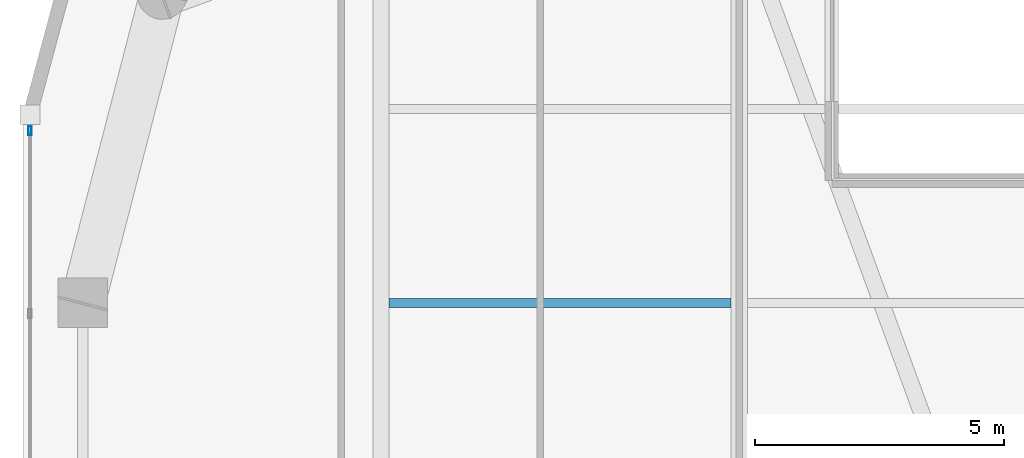
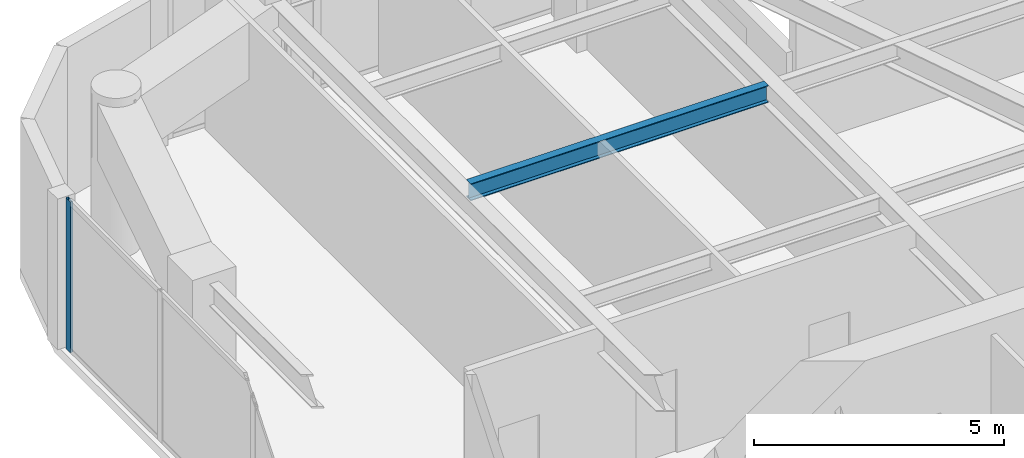
# One storey, part 8 of 22: 1 beam, 1 member, 1 element without a shape of its own.
"""IFC4 building model written with IfcOpenShell, lengths in metres."""

from ifc_helpers import new_model, si_unit, direction, frame, origin, origin_2d, place, context, subcontext, project, spatial, hollow_rectangle, i_section, extrude, material, layer, layer_set, material_profile, profile_set, type_object, element, aggregate, save


model = new_model("IFC4")

# Units and contexts
model_context = context("Model", 3, precision=1e-05, world=origin(), true_north=direction((0.0, 1.0)))
body_context = subcontext(model_context, "Body", "Model", "MODEL_VIEW")
ifc_project = project(units=[si_unit("LENGTHUNIT", "METRE"), si_unit("AREAUNIT", "SQUARE_METRE"), si_unit("VOLUMEUNIT", "CUBIC_METRE"), si_unit("PLANEANGLEUNIT", "RADIAN"), si_unit("MASSUNIT", "GRAM", prefix="KILO")], contexts=[model_context])

# Site, building, storey
site_placement = place(None, origin())
site = spatial("IfcSite", under=ifc_project, at=site_placement, CompositionType="ELEMENT")
building_placement = place(site_placement, origin())
building = spatial("IfcBuilding", under=site, at=building_placement, Name="Kiyonajd Concourse Tower", CompositionType="ELEMENT")
storey_placement = place(building_placement, frame((0.0, 0.0, 243.300048828125)))
storey = spatial("IfcBuildingStorey", under=building, at=storey_placement, Name="L61", CompositionType="ELEMENT", Elevation=243.300048828125)

# Beam
ifc_material_1 = material(Name="Steel ASTM A992 Grade 50", Category="steel")
ifc_material_profile_1 = material_profile(ifc_material_1, i_section(OverallWidth=0.180908203125, OverallDepth=0.4169921875, WebThickness=0.010986328125, FlangeThickness=0.018310546875, at=origin_2d()), Name="W410X85")
ifc_profile_set_1 = profile_set([ifc_material_profile_1], Name="Steel ASTM A992 Grade 50")
beam_type = type_object("IfcBeamType", Name="BM-JST-410", PredefinedType="JOIST", material=ifc_profile_set_1)
beam_placement = place(storey_placement, frame((32.56201171875, 53.39990234375, 3.471435546875), z_axis=(1.0, 0.0, 0.0), x_axis=(0.0, 1.0, 0.0)))
element("IfcBeam", 1, at=beam_placement, inside=storey, type_object=beam_type, Name="L61 Secondary Floor Joist", PredefinedType="JOIST", context=body_context, shape_type="SweptSolid", body=[
    extrude(i_section(OverallWidth=0.180908203125, OverallDepth=0.4169921875, WebThickness=0.010986328125, FlangeThickness=0.018310546875, at=origin_2d()), origin(), (0.0, 0.0, 1.0), 6.8759765625),
])

# Curtain wall, member
ifc_material_2 = material(Name="Thermally Broken Anodised Aluminium", Category="aluminium")
ifc_layer = layer(ifc_material_2, 0.179931640625)
ifc_layer_set = layer_set([ifc_layer], Name="Thermally Broken Anodised Aluminium")
curtain_wall_type = type_object("IfcCurtainWallType", Name="CW-SYS-04", PredefinedType="NOTDEFINED", material=ifc_layer_set)
curtain_wall_placement = place(storey_placement, origin())
curtain_wall = element("IfcCurtainWall", 2, at=curtain_wall_placement, inside=storey, type_object=curtain_wall_type, Name="L61 Unitised Curtain Wall CW4", PredefinedType="NOTDEFINED")
ifc_material_profile_2 = material_profile(ifc_material_2, hollow_rectangle(XDim=0.06494140625, YDim=0.179931640625, WallThickness=0.00390625, at=origin_2d()), Name="MULL-65x180")
ifc_profile_set_2 = profile_set([ifc_material_profile_2], Name="Thermally Broken Anodised Aluminium")
member_type = type_object("IfcMemberType", Name="MB-CW-MULL1", PredefinedType="MULLION", material=ifc_profile_set_2)
member_placement = place(storey_placement, frame((25.340087890625, 56.859130859375, 0.0), z_axis=(0.0, 0.0, 1.0), x_axis=(-1.0, 0.0, 0.0)))
member = element("IfcMember", 3, at=member_placement, type_object=member_type, Name="CW4 mullion 7", PredefinedType="MULLION", context=body_context, shape_type="SweptSolid", body=[
    extrude(hollow_rectangle(XDim=0.06494140625, YDim=0.179931640625, WallThickness=0.00390625, at=origin_2d()), origin(), (0.0, 0.0, 1.0), 3.679931640625),
])
aggregate(curtain_wall, [member])

save(model, "model.ifc")
